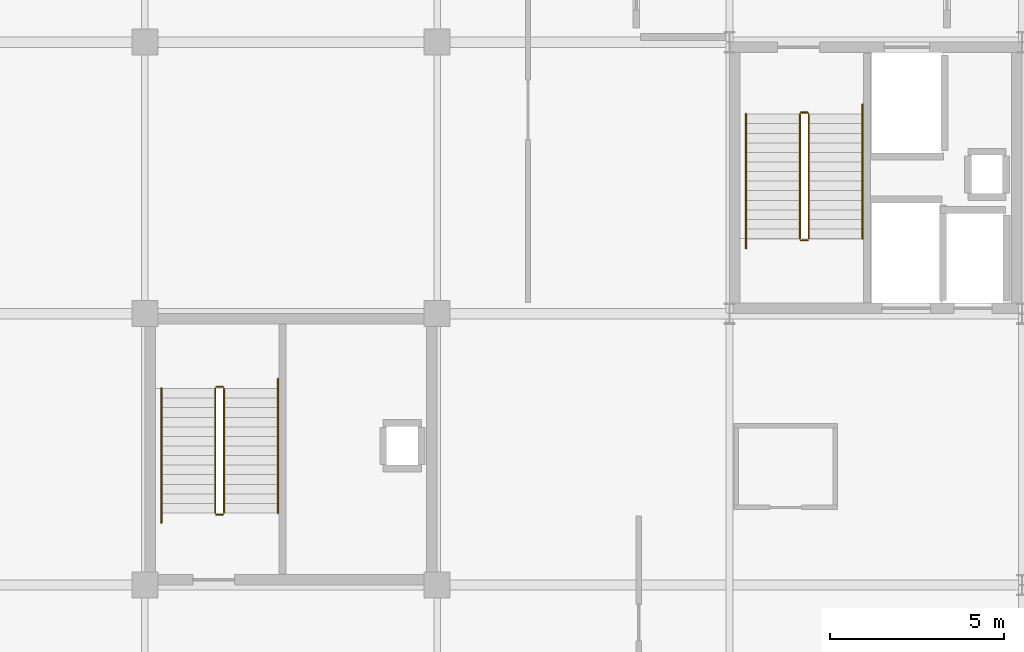
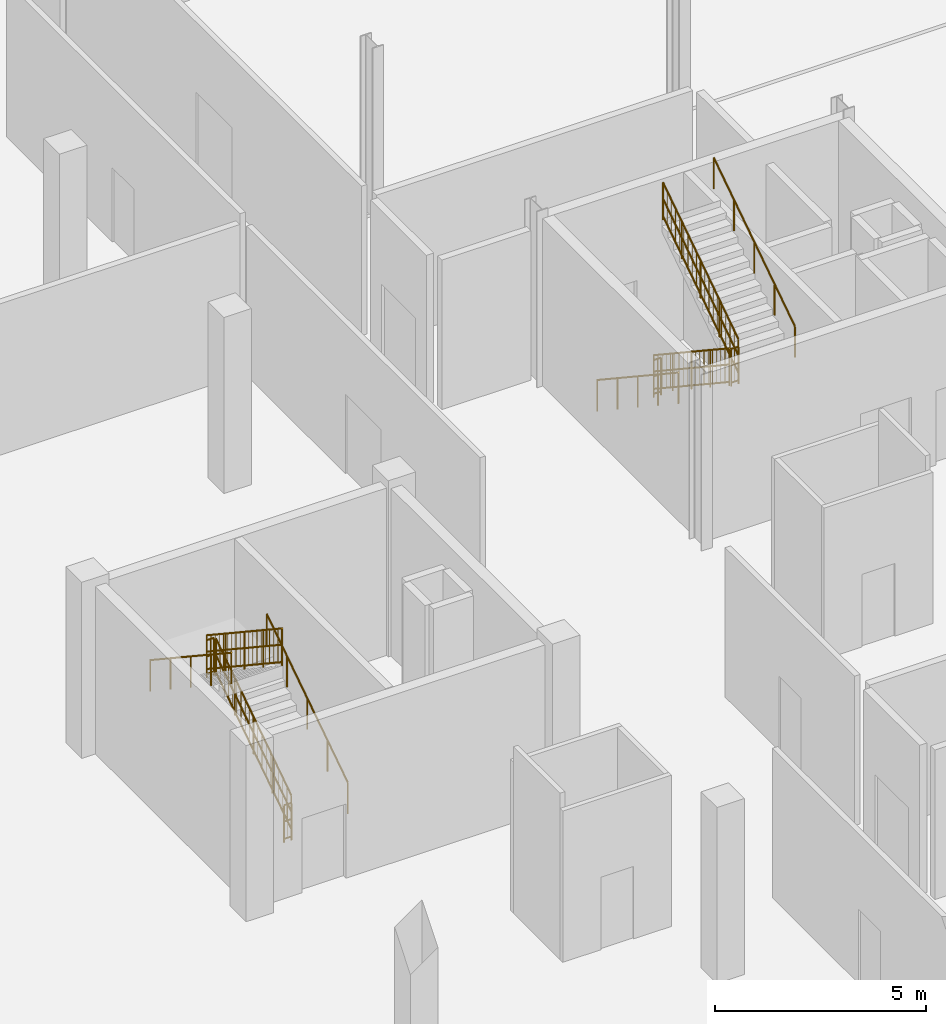
# One storey, part 104 of 105: 12 railings.
"""IFC4 building model written with IfcOpenShell, lengths in metres."""

from ifc_helpers import new_model, si_unit, direction, frame, origin, origin_2d, place, context, subcontext, project, spatial, circle, extrude, material, layer, layer_set, type_object, element, save


model = new_model("IFC4")

# Units and contexts
model_context = context("Model", 3, precision=1e-05, world=origin(), true_north=direction((0.0, 1.0)))
body_context = subcontext(model_context, "Body", "Model", "MODEL_VIEW")
ifc_project = project(units=[si_unit("LENGTHUNIT", "METRE"), si_unit("AREAUNIT", "SQUARE_METRE"), si_unit("VOLUMEUNIT", "CUBIC_METRE"), si_unit("PLANEANGLEUNIT", "RADIAN"), si_unit("MASSUNIT", "GRAM", prefix="KILO")], contexts=[model_context])

# Site, building, storey
site_placement = place(None, origin())
site = spatial("IfcSite", under=ifc_project, at=site_placement, CompositionType="ELEMENT")
building_placement = place(site_placement, origin())
building = spatial("IfcBuilding", under=site, at=building_placement, Name="Nabrawat Pavilion Hospital", CompositionType="ELEMENT")
storey_placement = place(building_placement, frame((0.0, 0.0, 5.10009765625)))
storey = spatial("IfcBuildingStorey", under=building, at=storey_placement, Name="L01", CompositionType="ELEMENT", Elevation=5.10009765625)

# Railings
ifc_material = material(Name="Stainless Steel 316", Category="steel")
ifc_layer_1 = layer(ifc_material, 0.050048828125, Name="Stainless Steel 316")
ifc_layer_set_1 = layer_set([ifc_layer_1], Name="Stainless Steel 316")
railing_type_1 = type_object("IfcRailingType", Name="Stair Open-Well Safety Guardrail 1100", PredefinedType="GUARDRAIL", material=ifc_layer_set_1)
railing_1_placement = place(storey_placement, frame((170.02490234375, 75.929931640625, 0.18212890625)))
element("IfcRailing", 1, at=railing_1_placement, inside=storey, type_object=railing_type_1, Name="L01 ST-06 stair guard 1", PredefinedType="GUARDRAIL", context=body_context, shape_type="SweptSolid", body=[
    extrude(circle(Radius=0.02392578125, at=origin_2d()), frame((0.0, 0.0, 1.076171875), z_axis=(0.0, -0.833728300892, 0.552174900092), x_axis=(1.0, 0.0, 0.0)), (0.0, 0.0, 1.0), 4.287841796875),
    extrude(circle(Radius=0.02392578125, at=origin_2d()), frame((0.0, 0.0, 0.10009765625), z_axis=(0.0, -0.833728300892, 0.552174900092), x_axis=(1.0, 0.0, 0.0)), (0.0, 0.0, 1.0), 4.287841796875),
    extrude(circle(Radius=0.02392578125, at=origin_2d()), frame((0.0, 0.0, 0.60498046875), z_axis=(0.0, -0.833728300892, 0.552174900092), x_axis=(1.0, 0.0, 0.0)), (0.0, 0.0, 1.0), 4.287841796875),
    extrude(circle(Radius=0.008056640625, at=origin_2d()), frame((0.0, -0.19873046875, 0.2314453125)), (0.0, 0.0, 1.0), 0.951904296875),
    extrude(circle(Radius=0.008056640625, at=origin_2d()), frame((0.0, -0.397216796875, 0.363037109375)), (0.0, 0.0, 1.0), 0.951904296875),
    extrude(circle(Radius=0.008056640625, at=origin_2d()), frame((0.0, -0.595703125, 0.49462890625)), (0.0, 0.0, 1.0), 0.951904296875),
    extrude(circle(Radius=0.008056640625, at=origin_2d()), frame((0.0, -0.79443359375, 0.626220703125)), (0.0, 0.0, 1.0), 0.951904296875),
    extrude(circle(Radius=0.008056640625, at=origin_2d()), frame((0.0, -0.9931640625, 0.757568359375)), (0.0, 0.0, 1.0), 0.951904296875),
    extrude(circle(Radius=0.008056640625, at=origin_2d()), frame((0.0, -1.191650390625, 0.88916015625)), (0.0, 0.0, 1.0), 0.951904296875),
    extrude(circle(Radius=0.008056640625, at=origin_2d()), frame((0.0, -1.39013671875, 1.020751953125)), (0.0, 0.0, 1.0), 0.951904296875),
    extrude(circle(Radius=0.008056640625, at=origin_2d()), frame((0.0, -1.5888671875, 1.15234375)), (0.0, 0.0, 1.0), 0.951904296875),
    extrude(circle(Radius=0.008056640625, at=origin_2d()), frame((0.0, -1.986083984375, 1.415283203125)), (0.0, 0.0, 1.0), 0.951904296875),
    extrude(circle(Radius=0.008056640625, at=origin_2d()), frame((0.0, -2.1845703125, 1.546875)), (0.0, 0.0, 1.0), 0.951904296875),
    extrude(circle(Radius=0.008056640625, at=origin_2d()), frame((0.0, -2.38330078125, 1.678466796875)), (0.0, 0.0, 1.0), 0.951904296875),
    extrude(circle(Radius=0.008056640625, at=origin_2d()), frame((0.0, -2.58203125, 1.81005859375)), (0.0, 0.0, 1.0), 0.951904296875),
    extrude(circle(Radius=0.008056640625, at=origin_2d()), frame((0.0, -2.780517578125, 1.94140625)), (0.0, 0.0, 1.0), 0.951904296875),
    extrude(circle(Radius=0.008056640625, at=origin_2d()), frame((0.0, -2.97900390625, 2.072998046875)), (0.0, 0.0, 1.0), 0.951904296875),
    extrude(circle(Radius=0.008056640625, at=origin_2d()), frame((0.0, -3.177734375, 2.20458984375)), (0.0, 0.0, 1.0), 0.951904296875),
    extrude(circle(Radius=0.008056640625, at=origin_2d()), frame((0.0, -3.37646484375, 2.336181640625)), (0.0, 0.0, 1.0), 0.951904296875),
    extrude(circle(Radius=0.02099609375, at=origin_2d()), origin(), (0.0, 0.0, 1.0), 1.052001953125),
    extrude(circle(Radius=0.02099609375, at=origin_2d()), frame((0.0, -0.893798828125, 0.591796875)), (0.0, 0.0, 1.0), 1.052001953125),
    extrude(circle(Radius=0.02099609375, at=origin_2d()), frame((0.0, -1.78759765625, 1.183837890625)), (0.0, 0.0, 1.0), 1.052001953125),
    extrude(circle(Radius=0.02099609375, at=origin_2d()), frame((0.0, -2.68115234375, 1.77587890625)), (0.0, 0.0, 1.0), 1.052001953125),
    extrude(circle(Radius=0.02099609375, at=origin_2d()), frame((0.0, -3.574951171875, 2.36767578125)), (0.0, 0.0, 1.0), 1.052001953125),
])
railing_2_placement = place(storey_placement, frame((170.050048828125, 72.304931640625, 2.5498046875)))
element("IfcRailing", 2, at=railing_2_placement, inside=storey, type_object=railing_type_1, Name="L01 ST-06 stair guard 2", PredefinedType="GUARDRAIL", context=body_context, shape_type="SweptSolid", body=[
    extrude(circle(Radius=0.02392578125, at=origin_2d()), frame((0.0, 0.0, 1.076171875), z_axis=(1.0, 0.0, 0.0), x_axis=(0.0, 1.0, 0.0)), (0.0, 0.0, 1.0), 0.199951171875),
    extrude(circle(Radius=0.02392578125, at=origin_2d()), frame((0.0, 0.0, 0.10009765625), z_axis=(1.0, 0.0, 0.0), x_axis=(0.0, 1.0, 0.0)), (0.0, 0.0, 1.0), 0.199951171875),
    extrude(circle(Radius=0.02392578125, at=origin_2d()), frame((0.0, 0.0, 0.60498046875), z_axis=(1.0, 0.0, 0.0), x_axis=(0.0, 1.0, 0.0)), (0.0, 0.0, 1.0), 0.199951171875),
    extrude(circle(Radius=0.008056640625, at=origin_2d()), frame((0.10009765625, 0.0, 0.10009765625)), (0.0, 0.0, 1.0), 0.951904296875),
    extrude(circle(Radius=0.02099609375, at=origin_2d()), origin(), (0.0, 0.0, 1.0), 1.052001953125),
    extrude(circle(Radius=0.02099609375, at=origin_2d()), frame((0.199951171875, 0.0, 0.0)), (0.0, 0.0, 1.0), 1.052001953125),
])
railing_3_placement = place(storey_placement, frame((170.27490234375, 72.35498046875, 2.73193359375)))
element("IfcRailing", 3, at=railing_3_placement, inside=storey, type_object=railing_type_1, Name="L01 ST-06 stair guard 3", PredefinedType="GUARDRAIL", context=body_context, shape_type="SweptSolid", body=[
    extrude(circle(Radius=0.02392578125, at=origin_2d()), frame((0.0, 0.0, 1.076171875), z_axis=(0.0, 0.833702089047, 0.552214475289), x_axis=(-1.0, 0.0, 0.0)), (0.0, 0.0, 1.0), 4.2880859375),
    extrude(circle(Radius=0.02392578125, at=origin_2d()), frame((0.0, 0.0, 0.10009765625), z_axis=(0.0, 0.833702089047, 0.552214475289), x_axis=(-1.0, 0.0, 0.0)), (0.0, 0.0, 1.0), 4.2880859375),
    extrude(circle(Radius=0.02392578125, at=origin_2d()), frame((0.0, 0.0, 0.60498046875), z_axis=(0.0, 0.833702089047, 0.552214475289), x_axis=(-1.0, 0.0, 0.0)), (0.0, 0.0, 1.0), 4.2880859375),
    extrude(circle(Radius=0.008056640625, at=origin_2d()), frame((0.0, 0.19873046875, 0.2314453125)), (0.0, 0.0, 1.0), 0.951904296875),
    extrude(circle(Radius=0.008056640625, at=origin_2d()), frame((0.0, 0.397216796875, 0.363037109375)), (0.0, 0.0, 1.0), 0.951904296875),
    extrude(circle(Radius=0.008056640625, at=origin_2d()), frame((0.0, 0.595703125, 0.49462890625)), (0.0, 0.0, 1.0), 0.951904296875),
    extrude(circle(Radius=0.008056640625, at=origin_2d()), frame((0.0, 0.79443359375, 0.626220703125)), (0.0, 0.0, 1.0), 0.951904296875),
    extrude(circle(Radius=0.008056640625, at=origin_2d()), frame((0.0, 0.9931640625, 0.7578125)), (0.0, 0.0, 1.0), 0.951904296875),
    extrude(circle(Radius=0.008056640625, at=origin_2d()), frame((0.0, 1.191650390625, 0.889404296875)), (0.0, 0.0, 1.0), 0.951904296875),
    extrude(circle(Radius=0.008056640625, at=origin_2d()), frame((0.0, 1.39013671875, 1.020751953125)), (0.0, 0.0, 1.0), 0.951904296875),
    extrude(circle(Radius=0.008056640625, at=origin_2d()), frame((0.0, 1.5888671875, 1.15234375)), (0.0, 0.0, 1.0), 0.951904296875),
    extrude(circle(Radius=0.008056640625, at=origin_2d()), frame((0.0, 1.986083984375, 1.41552734375)), (0.0, 0.0, 1.0), 0.951904296875),
    extrude(circle(Radius=0.008056640625, at=origin_2d()), frame((0.0, 2.1845703125, 1.547119140625)), (0.0, 0.0, 1.0), 0.951904296875),
    extrude(circle(Radius=0.008056640625, at=origin_2d()), frame((0.0, 2.38330078125, 1.6787109375)), (0.0, 0.0, 1.0), 0.951904296875),
    extrude(circle(Radius=0.008056640625, at=origin_2d()), frame((0.0, 2.58203125, 1.81005859375)), (0.0, 0.0, 1.0), 0.951904296875),
    extrude(circle(Radius=0.008056640625, at=origin_2d()), frame((0.0, 2.780517578125, 1.941650390625)), (0.0, 0.0, 1.0), 0.951904296875),
    extrude(circle(Radius=0.008056640625, at=origin_2d()), frame((0.0, 2.97900390625, 2.0732421875)), (0.0, 0.0, 1.0), 0.951904296875),
    extrude(circle(Radius=0.008056640625, at=origin_2d()), frame((0.0, 3.177734375, 2.204833984375)), (0.0, 0.0, 1.0), 0.951904296875),
    extrude(circle(Radius=0.008056640625, at=origin_2d()), frame((0.0, 3.37646484375, 2.33642578125)), (0.0, 0.0, 1.0), 0.951904296875),
    extrude(circle(Radius=0.02099609375, at=origin_2d()), origin(), (0.0, 0.0, 1.0), 1.052001953125),
    extrude(circle(Radius=0.02099609375, at=origin_2d()), frame((0.0, 0.893798828125, 0.592041015625)), (0.0, 0.0, 1.0), 1.052001953125),
    extrude(circle(Radius=0.02099609375, at=origin_2d()), frame((0.0, 1.78759765625, 1.18408203125)), (0.0, 0.0, 1.0), 1.052001953125),
    extrude(circle(Radius=0.02099609375, at=origin_2d()), frame((0.0, 2.68115234375, 1.77587890625)), (0.0, 0.0, 1.0), 1.052001953125),
    extrude(circle(Radius=0.02099609375, at=origin_2d()), frame((0.0, 3.574951171875, 2.367919921875)), (0.0, 0.0, 1.0), 1.052001953125),
])
railing_4_placement = place(storey_placement, frame((170.050048828125, 75.97998046875, 0.0)))
element("IfcRailing", 4, at=railing_4_placement, inside=storey, type_object=railing_type_1, Name="L01 ST-06 stair guard 4", PredefinedType="GUARDRAIL", context=body_context, shape_type="SweptSolid", body=[
    extrude(circle(Radius=0.02392578125, at=origin_2d()), frame((0.0, 0.0, 1.076171875), z_axis=(1.0, 0.0, 0.0), x_axis=(0.0, 1.0, 0.0)), (0.0, 0.0, 1.0), 0.199951171875),
    extrude(circle(Radius=0.02392578125, at=origin_2d()), frame((0.0, 0.0, 0.10009765625), z_axis=(1.0, 0.0, 0.0), x_axis=(0.0, 1.0, 0.0)), (0.0, 0.0, 1.0), 0.199951171875),
    extrude(circle(Radius=0.02392578125, at=origin_2d()), frame((0.0, 0.0, 0.60498046875), z_axis=(1.0, 0.0, 0.0), x_axis=(0.0, 1.0, 0.0)), (0.0, 0.0, 1.0), 0.199951171875),
    extrude(circle(Radius=0.008056640625, at=origin_2d()), frame((0.10009765625, 0.0, 0.10009765625)), (0.0, 0.0, 1.0), 0.951904296875),
    extrude(circle(Radius=0.02099609375, at=origin_2d()), origin(), (0.0, 0.0, 1.0), 1.052001953125),
    extrude(circle(Radius=0.02099609375, at=origin_2d()), frame((0.199951171875, 0.0, 0.0)), (0.0, 0.0, 1.0), 1.052001953125),
])
railing_5_placement = place(storey_placement, frame((153.47509765625, 64.469970703125, 0.18212890625)))
element("IfcRailing", 5, at=railing_5_placement, inside=storey, type_object=railing_type_1, Name="L01 ST-09 stair guard 1", PredefinedType="GUARDRAIL", context=body_context, shape_type="SweptSolid", body=[
    extrude(circle(Radius=0.02392578125, at=origin_2d()), frame((0.0, 0.0, 1.076171875), z_axis=(0.0, 0.833728300892, 0.552174900092), x_axis=(-1.0, 0.0, 0.0)), (0.0, 0.0, 1.0), 4.287841796875),
    extrude(circle(Radius=0.02392578125, at=origin_2d()), frame((0.0, 0.0, 0.10009765625), z_axis=(0.0, 0.833728300892, 0.552174900092), x_axis=(-1.0, 0.0, 0.0)), (0.0, 0.0, 1.0), 4.287841796875),
    extrude(circle(Radius=0.02392578125, at=origin_2d()), frame((0.0, 0.0, 0.60498046875), z_axis=(0.0, 0.833728300892, 0.552174900092), x_axis=(-1.0, 0.0, 0.0)), (0.0, 0.0, 1.0), 4.287841796875),
    extrude(circle(Radius=0.008056640625, at=origin_2d()), frame((0.0, 0.19873046875, 0.2314453125)), (0.0, 0.0, 1.0), 0.951904296875),
    extrude(circle(Radius=0.008056640625, at=origin_2d()), frame((0.0, 0.397216796875, 0.363037109375)), (0.0, 0.0, 1.0), 0.951904296875),
    extrude(circle(Radius=0.008056640625, at=origin_2d()), frame((0.0, 0.595703125, 0.49462890625)), (0.0, 0.0, 1.0), 0.951904296875),
    extrude(circle(Radius=0.008056640625, at=origin_2d()), frame((0.0, 0.79443359375, 0.626220703125)), (0.0, 0.0, 1.0), 0.951904296875),
    extrude(circle(Radius=0.008056640625, at=origin_2d()), frame((0.0, 0.9931640625, 0.757568359375)), (0.0, 0.0, 1.0), 0.951904296875),
    extrude(circle(Radius=0.008056640625, at=origin_2d()), frame((0.0, 1.191650390625, 0.88916015625)), (0.0, 0.0, 1.0), 0.951904296875),
    extrude(circle(Radius=0.008056640625, at=origin_2d()), frame((0.0, 1.39013671875, 1.020751953125)), (0.0, 0.0, 1.0), 0.951904296875),
    extrude(circle(Radius=0.008056640625, at=origin_2d()), frame((0.0, 1.5888671875, 1.15234375)), (0.0, 0.0, 1.0), 0.951904296875),
    extrude(circle(Radius=0.008056640625, at=origin_2d()), frame((0.0, 1.986083984375, 1.415283203125)), (0.0, 0.0, 1.0), 0.951904296875),
    extrude(circle(Radius=0.008056640625, at=origin_2d()), frame((0.0, 2.1845703125, 1.546875)), (0.0, 0.0, 1.0), 0.951904296875),
    extrude(circle(Radius=0.008056640625, at=origin_2d()), frame((0.0, 2.38330078125, 1.678466796875)), (0.0, 0.0, 1.0), 0.951904296875),
    extrude(circle(Radius=0.008056640625, at=origin_2d()), frame((0.0, 2.58203125, 1.81005859375)), (0.0, 0.0, 1.0), 0.951904296875),
    extrude(circle(Radius=0.008056640625, at=origin_2d()), frame((0.0, 2.780517578125, 1.94140625)), (0.0, 0.0, 1.0), 0.951904296875),
    extrude(circle(Radius=0.008056640625, at=origin_2d()), frame((0.0, 2.97900390625, 2.072998046875)), (0.0, 0.0, 1.0), 0.951904296875),
    extrude(circle(Radius=0.008056640625, at=origin_2d()), frame((0.0, 3.177734375, 2.20458984375)), (0.0, 0.0, 1.0), 0.951904296875),
    extrude(circle(Radius=0.008056640625, at=origin_2d()), frame((0.0, 3.37646484375, 2.336181640625)), (0.0, 0.0, 1.0), 0.951904296875),
    extrude(circle(Radius=0.02099609375, at=origin_2d()), origin(), (0.0, 0.0, 1.0), 1.052001953125),
    extrude(circle(Radius=0.02099609375, at=origin_2d()), frame((0.0, 0.893798828125, 0.591796875)), (0.0, 0.0, 1.0), 1.052001953125),
    extrude(circle(Radius=0.02099609375, at=origin_2d()), frame((0.0, 1.78759765625, 1.183837890625)), (0.0, 0.0, 1.0), 1.052001953125),
    extrude(circle(Radius=0.02099609375, at=origin_2d()), frame((0.0, 2.68115234375, 1.77587890625)), (0.0, 0.0, 1.0), 1.052001953125),
    extrude(circle(Radius=0.02099609375, at=origin_2d()), frame((0.0, 3.574951171875, 2.36767578125)), (0.0, 0.0, 1.0), 1.052001953125),
])
railing_6_placement = place(storey_placement, frame((153.449951171875, 68.094970703125, 2.5498046875)))
element("IfcRailing", 6, at=railing_6_placement, inside=storey, type_object=railing_type_1, Name="L01 ST-09 stair guard 2", PredefinedType="GUARDRAIL", context=body_context, shape_type="SweptSolid", body=[
    extrude(circle(Radius=0.02392578125, at=origin_2d()), frame((0.0, 0.0, 1.076171875), z_axis=(-1.0, 0.0, 0.0), x_axis=(0.0, -1.0, 0.0)), (0.0, 0.0, 1.0), 0.199951171875),
    extrude(circle(Radius=0.02392578125, at=origin_2d()), frame((0.0, 0.0, 0.10009765625), z_axis=(-1.0, 0.0, 0.0), x_axis=(0.0, -1.0, 0.0)), (0.0, 0.0, 1.0), 0.199951171875),
    extrude(circle(Radius=0.02392578125, at=origin_2d()), frame((0.0, 0.0, 0.60498046875), z_axis=(-1.0, 0.0, 0.0), x_axis=(0.0, -1.0, 0.0)), (0.0, 0.0, 1.0), 0.199951171875),
    extrude(circle(Radius=0.008056640625, at=origin_2d()), frame((-0.10009765625, 0.0, 0.10009765625)), (0.0, 0.0, 1.0), 0.951904296875),
    extrude(circle(Radius=0.02099609375, at=origin_2d()), origin(), (0.0, 0.0, 1.0), 1.052001953125),
    extrude(circle(Radius=0.02099609375, at=origin_2d()), frame((-0.199951171875, 0.0, 0.0)), (0.0, 0.0, 1.0), 1.052001953125),
])
railing_7_placement = place(storey_placement, frame((153.22509765625, 68.044921875, 2.73193359375)))
element("IfcRailing", 7, at=railing_7_placement, inside=storey, type_object=railing_type_1, Name="L01 ST-09 stair guard 3", PredefinedType="GUARDRAIL", context=body_context, shape_type="SweptSolid", body=[
    extrude(circle(Radius=0.02392578125, at=origin_2d()), frame((0.0, 0.0, 1.076171875), z_axis=(0.0, -0.833702089047, 0.552214475289), x_axis=(1.0, 0.0, 0.0)), (0.0, 0.0, 1.0), 4.2880859375),
    extrude(circle(Radius=0.02392578125, at=origin_2d()), frame((0.0, 0.0, 0.10009765625), z_axis=(0.0, -0.833702089047, 0.552214475289), x_axis=(1.0, 0.0, 0.0)), (0.0, 0.0, 1.0), 4.2880859375),
    extrude(circle(Radius=0.02392578125, at=origin_2d()), frame((0.0, 0.0, 0.60498046875), z_axis=(0.0, -0.833702089047, 0.552214475289), x_axis=(1.0, 0.0, 0.0)), (0.0, 0.0, 1.0), 4.2880859375),
    extrude(circle(Radius=0.008056640625, at=origin_2d()), frame((0.0, -0.19873046875, 0.2314453125)), (0.0, 0.0, 1.0), 0.951904296875),
    extrude(circle(Radius=0.008056640625, at=origin_2d()), frame((0.0, -0.397216796875, 0.363037109375)), (0.0, 0.0, 1.0), 0.951904296875),
    extrude(circle(Radius=0.008056640625, at=origin_2d()), frame((0.0, -0.595703125, 0.49462890625)), (0.0, 0.0, 1.0), 0.951904296875),
    extrude(circle(Radius=0.008056640625, at=origin_2d()), frame((0.0, -0.79443359375, 0.626220703125)), (0.0, 0.0, 1.0), 0.951904296875),
    extrude(circle(Radius=0.008056640625, at=origin_2d()), frame((0.0, -0.9931640625, 0.7578125)), (0.0, 0.0, 1.0), 0.951904296875),
    extrude(circle(Radius=0.008056640625, at=origin_2d()), frame((0.0, -1.191650390625, 0.889404296875)), (0.0, 0.0, 1.0), 0.951904296875),
    extrude(circle(Radius=0.008056640625, at=origin_2d()), frame((0.0, -1.39013671875, 1.020751953125)), (0.0, 0.0, 1.0), 0.951904296875),
    extrude(circle(Radius=0.008056640625, at=origin_2d()), frame((0.0, -1.5888671875, 1.15234375)), (0.0, 0.0, 1.0), 0.951904296875),
    extrude(circle(Radius=0.008056640625, at=origin_2d()), frame((0.0, -1.986083984375, 1.41552734375)), (0.0, 0.0, 1.0), 0.951904296875),
    extrude(circle(Radius=0.008056640625, at=origin_2d()), frame((0.0, -2.1845703125, 1.547119140625)), (0.0, 0.0, 1.0), 0.951904296875),
    extrude(circle(Radius=0.008056640625, at=origin_2d()), frame((0.0, -2.38330078125, 1.6787109375)), (0.0, 0.0, 1.0), 0.951904296875),
    extrude(circle(Radius=0.008056640625, at=origin_2d()), frame((0.0, -2.58203125, 1.81005859375)), (0.0, 0.0, 1.0), 0.951904296875),
    extrude(circle(Radius=0.008056640625, at=origin_2d()), frame((0.0, -2.780517578125, 1.941650390625)), (0.0, 0.0, 1.0), 0.951904296875),
    extrude(circle(Radius=0.008056640625, at=origin_2d()), frame((0.0, -2.97900390625, 2.0732421875)), (0.0, 0.0, 1.0), 0.951904296875),
    extrude(circle(Radius=0.008056640625, at=origin_2d()), frame((0.0, -3.177734375, 2.204833984375)), (0.0, 0.0, 1.0), 0.951904296875),
    extrude(circle(Radius=0.008056640625, at=origin_2d()), frame((0.0, -3.37646484375, 2.33642578125)), (0.0, 0.0, 1.0), 0.951904296875),
    extrude(circle(Radius=0.02099609375, at=origin_2d()), origin(), (0.0, 0.0, 1.0), 1.052001953125),
    extrude(circle(Radius=0.02099609375, at=origin_2d()), frame((0.0, -0.893798828125, 0.592041015625)), (0.0, 0.0, 1.0), 1.052001953125),
    extrude(circle(Radius=0.02099609375, at=origin_2d()), frame((0.0, -1.78759765625, 1.18408203125)), (0.0, 0.0, 1.0), 1.052001953125),
    extrude(circle(Radius=0.02099609375, at=origin_2d()), frame((0.0, -2.68115234375, 1.77587890625)), (0.0, 0.0, 1.0), 1.052001953125),
    extrude(circle(Radius=0.02099609375, at=origin_2d()), frame((0.0, -3.574951171875, 2.367919921875)), (0.0, 0.0, 1.0), 1.052001953125),
])
railing_8_placement = place(storey_placement, frame((153.449951171875, 64.419921875, 0.0)))
element("IfcRailing", 8, at=railing_8_placement, inside=storey, type_object=railing_type_1, Name="L01 ST-09 stair guard 4", PredefinedType="GUARDRAIL", context=body_context, shape_type="SweptSolid", body=[
    extrude(circle(Radius=0.02392578125, at=origin_2d()), frame((0.0, 0.0, 1.076171875), z_axis=(-1.0, 0.0, 0.0), x_axis=(0.0, -1.0, 0.0)), (0.0, 0.0, 1.0), 0.199951171875),
    extrude(circle(Radius=0.02392578125, at=origin_2d()), frame((0.0, 0.0, 0.10009765625), z_axis=(-1.0, 0.0, 0.0), x_axis=(0.0, -1.0, 0.0)), (0.0, 0.0, 1.0), 0.199951171875),
    extrude(circle(Radius=0.02392578125, at=origin_2d()), frame((0.0, 0.0, 0.60498046875), z_axis=(-1.0, 0.0, 0.0), x_axis=(0.0, -1.0, 0.0)), (0.0, 0.0, 1.0), 0.199951171875),
    extrude(circle(Radius=0.008056640625, at=origin_2d()), frame((-0.10009765625, 0.0, 0.10009765625)), (0.0, 0.0, 1.0), 0.951904296875),
    extrude(circle(Radius=0.02099609375, at=origin_2d()), origin(), (0.0, 0.0, 1.0), 1.052001953125),
    extrude(circle(Radius=0.02099609375, at=origin_2d()), frame((-0.199951171875, 0.0, 0.0)), (0.0, 0.0, 1.0), 1.052001953125),
])
ifc_layer_2 = layer(ifc_material, 0.044921875, Name="Stainless Steel 316")
ifc_layer_set_2 = layer_set([ifc_layer_2], Name="Stainless Steel 316")
railing_type_2 = type_object("IfcRailingType", Name="Stair Pitch Continuous Handrail 920", PredefinedType="HANDRAIL", material=ifc_layer_set_2)
railing_9_placement = place(storey_placement, frame((168.47509765625, 75.929931640625, 0.18603515625)))
element("IfcRailing", 9, at=railing_9_placement, inside=storey, type_object=railing_type_2, Name="L01 ST-06 stair handrail 1", PredefinedType="HANDRAIL", context=body_context, shape_type="SweptSolid", body=[
    extrude(circle(Radius=0.02392578125, at=origin_2d()), frame((0.0, 0.0, 0.89599609375), z_axis=(0.0, -0.833697760554, 0.552221010146), x_axis=(1.0, 0.0, 0.0)), (0.0, 0.0, 1.0), 4.617919921875),
    extrude(circle(Radius=0.02099609375, at=origin_2d()), origin(), (0.0, 0.0, 1.0), 0.871826171875),
    extrude(circle(Radius=0.02099609375, at=origin_2d()), frame((0.0, -0.96240234375, 0.637451171875)), (0.0, 0.0, 1.0), 0.871826171875),
    extrude(circle(Radius=0.02099609375, at=origin_2d()), frame((0.0, -1.9248046875, 1.27490234375)), (0.0, 0.0, 1.0), 0.871826171875),
    extrude(circle(Radius=0.02099609375, at=origin_2d()), frame((0.0, -2.887451171875, 1.91259765625)), (0.0, 0.0, 1.0), 0.871826171875),
    extrude(circle(Radius=0.02099609375, at=origin_2d()), frame((0.0, -3.849853515625, 2.550048828125)), (0.0, 0.0, 1.0), 0.871826171875),
])
for number, where, name in (
    (10, (171.824951171875, 72.35498046875, 2.736083984375), "L01 ST-06 stair handrail 2"),
    (11, (155.02490234375, 64.469970703125, 0.18603515625), "L01 ST-09 stair handrail 1"),
):
    element("IfcRailing", number, at=place(storey_placement, frame(where)), inside=storey, type_object=railing_type_2, Name=name, PredefinedType="HANDRAIL", context=body_context, shape_type="SweptSolid", body=[
        extrude(circle(Radius=0.02392578125, at=origin_2d()), frame((0.0, 0.0, 0.89599609375), z_axis=(0.0, 0.833713881912, 0.552196670677), x_axis=(-1.0, 0.0, 0.0)), (0.0, 0.0, 1.0), 4.617919921875),
        extrude(circle(Radius=0.02099609375, at=origin_2d()), origin(), (0.0, 0.0, 1.0), 0.871826171875),
        extrude(circle(Radius=0.02099609375, at=origin_2d()), frame((0.0, 0.96240234375, 0.637451171875)), (0.0, 0.0, 1.0), 0.871826171875),
        extrude(circle(Radius=0.02099609375, at=origin_2d()), frame((0.0, 1.925048828125, 1.27490234375)), (0.0, 0.0, 1.0), 0.871826171875),
        extrude(circle(Radius=0.02099609375, at=origin_2d()), frame((0.0, 2.8876953125, 1.91259765625)), (0.0, 0.0, 1.0), 0.871826171875),
        extrude(circle(Radius=0.02099609375, at=origin_2d()), frame((0.0, 3.85009765625, 2.550048828125)), (0.0, 0.0, 1.0), 0.871826171875),
    ])
railing_10_placement = place(storey_placement, frame((151.675048828125, 68.044921875, 2.736083984375)))
element("IfcRailing", 12, at=railing_10_placement, inside=storey, type_object=railing_type_2, Name="L01 ST-09 stair handrail 2", PredefinedType="HANDRAIL", context=body_context, shape_type="SweptSolid", body=[
    extrude(circle(Radius=0.02392578125, at=origin_2d()), frame((0.0, 0.0, 0.89599609375), z_axis=(0.0, -0.833697760554, 0.552221010146), x_axis=(1.0, 0.0, 0.0)), (0.0, 0.0, 1.0), 4.617919921875),
    extrude(circle(Radius=0.02099609375, at=origin_2d()), origin(), (0.0, 0.0, 1.0), 0.871826171875),
    extrude(circle(Radius=0.02099609375, at=origin_2d()), frame((0.0, -0.96240234375, 0.637451171875)), (0.0, 0.0, 1.0), 0.871826171875),
    extrude(circle(Radius=0.02099609375, at=origin_2d()), frame((0.0, -1.9248046875, 1.27490234375)), (0.0, 0.0, 1.0), 0.871826171875),
    extrude(circle(Radius=0.02099609375, at=origin_2d()), frame((0.0, -2.887451171875, 1.91259765625)), (0.0, 0.0, 1.0), 0.871826171875),
    extrude(circle(Radius=0.02099609375, at=origin_2d()), frame((0.0, -3.849853515625, 2.550048828125)), (0.0, 0.0, 1.0), 0.871826171875),
])

save(model, "model.ifc")
